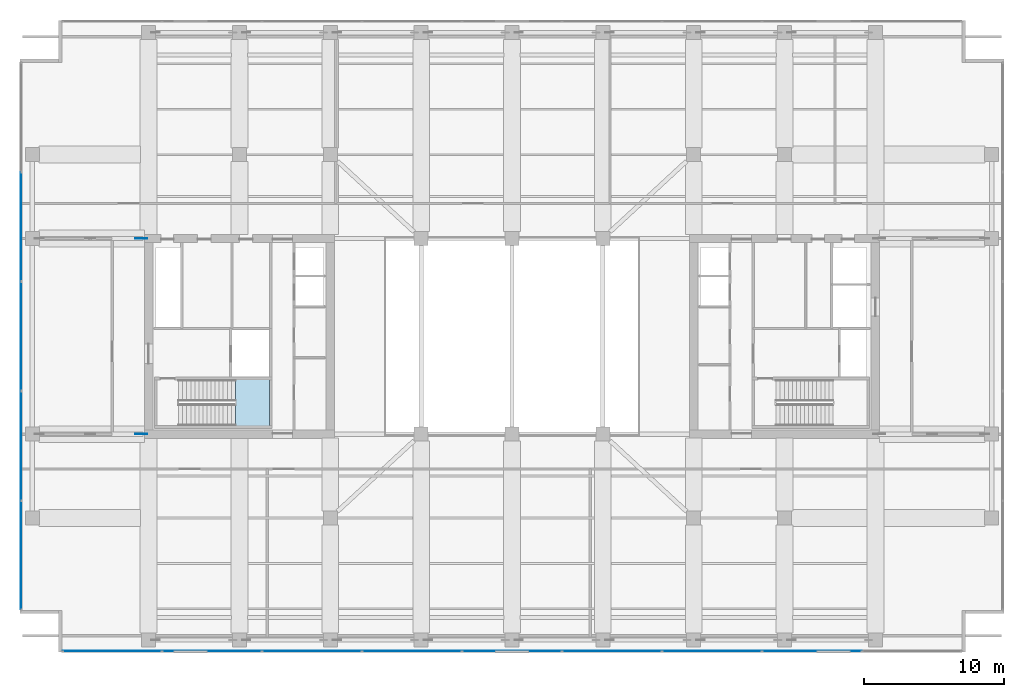
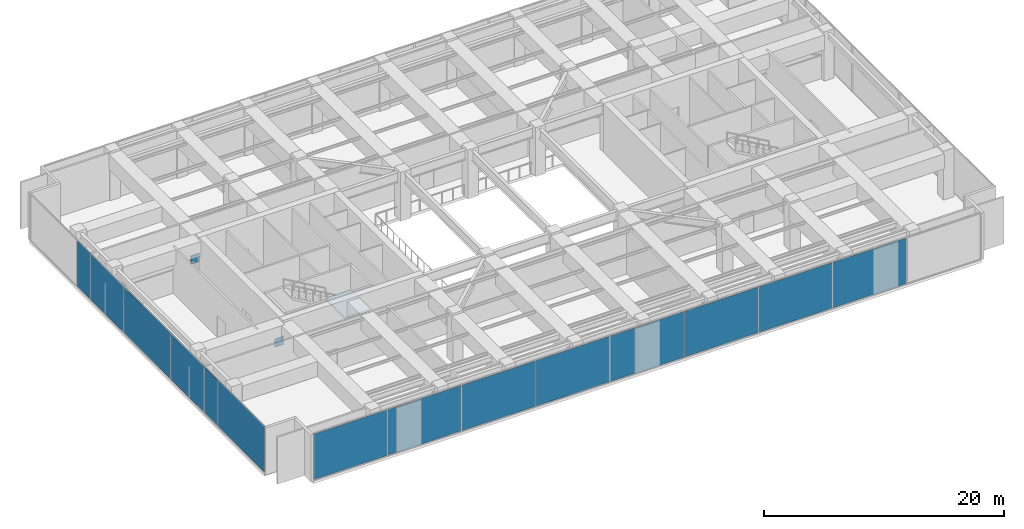
# One storey, part 13 of 28: 14 plates, 1 slab, 3 elements without a shape of their own.
"""IFC4 building model written with IfcOpenShell, lengths in metres."""

from ifc_helpers import new_model, si_unit, direction, frame, origin, origin_2d, place, context, subcontext, project, spatial, polyline, rectangle, outline, extrude, material, layer, layer_set, type_object, element, aggregate, save


model = new_model("IFC4")

# Units and contexts
model_context = context("Model", 3, precision=1e-05, world=origin(), true_north=direction((0.0, 1.0)))
body_context = subcontext(model_context, "Body", "Model", "MODEL_VIEW")
ifc_project = project(units=[si_unit("LENGTHUNIT", "METRE"), si_unit("AREAUNIT", "SQUARE_METRE"), si_unit("VOLUMEUNIT", "CUBIC_METRE"), si_unit("PLANEANGLEUNIT", "RADIAN"), si_unit("MASSUNIT", "GRAM", prefix="KILO")], contexts=[model_context])

# Site, building, storey
site_placement = place(None, origin())
site = spatial("IfcSite", under=ifc_project, at=site_placement, CompositionType="ELEMENT")
building_placement = place(site_placement, origin())
building = spatial("IfcBuilding", under=site, at=building_placement, Name="Putna Gate Headquarters", CompositionType="ELEMENT")
storey_placement = place(building_placement, frame((0.0, 0.0, 197.39990234375)))
storey = spatial("IfcBuildingStorey", under=building, at=storey_placement, Name="L49", CompositionType="ELEMENT", Elevation=197.39990234375)

# Stair, slab
ifc_material_1 = material(Name="Concrete C40/50", Category="concrete")
stair_type = type_object("IfcStairType", Name="STAIR-ST1", PredefinedType="HALF_TURN_STAIR", material=ifc_material_1)
stair_placement = place(storey_placement, origin())
stair = element("IfcStair", 1, at=stair_placement, inside=storey, type_object=stair_type, Name="L49 West Core Exit Stair ST1", PredefinedType="HALF_TURN_STAIR")
ifc_layer_1 = layer(ifc_material_1, 0.199951171875)
ifc_layer_set_1 = layer_set([ifc_layer_1], Name="Concrete C40/50")
slab_type = type_object("IfcSlabType", Name="LANDING-ST1", PredefinedType="LANDING", material=ifc_layer_set_1)
slab_placement = place(storey_placement, frame((0.0, 0.0, 2.300048828125)))
slab = element("IfcSlab", 2, at=slab_placement, type_object=slab_type, Name="ST1 landing 1", PredefinedType="LANDING", context=body_context, shape_type="SweptSolid", body=[
    extrude(outline(polyline([(19.2099609375, 19.60009765625), (21.64990234375, 19.60009765625), (21.64990234375, 22.89990234375), (19.2099609375, 22.89990234375), (19.2099609375, 19.60009765625)])), origin(), (0.0, 0.0, 1.0), 0.199951171875),
])
aggregate(stair, [slab])

# Curtain wall, plates
ifc_material_2 = material(Name="Anodised bronze aluminium curtain wall", Category="aluminium")
ifc_layer_2 = layer(ifc_material_2, 0.159912109375)
ifc_layer_set_2 = layer_set([ifc_layer_2], Name="Anodised bronze aluminium curtain wall")
curtain_wall_type = type_object("IfcCurtainWallType", Name="CW-SYS-CRN", PredefinedType="USERDEFINED", material=ifc_layer_set_2)
curtain_wall_1_placement = place(storey_placement, origin())
curtain_wall_1 = element("IfcCurtainWall", 3, at=curtain_wall_1_placement, inside=storey, type_object=curtain_wall_type, Name="L49 Acoustic Louvre South Enclosure", ObjectType="STICK CURTAIN WALL", PredefinedType="USERDEFINED")
ifc_material_3 = material(Name="Anodised bronze acoustic louvre panel", Category="aluminium")
ifc_layer_3 = layer(ifc_material_3, 0.044921875)
ifc_layer_set_3 = layer_set([ifc_layer_3], Name="Anodised bronze acoustic louvre panel")
plate_type_1 = type_object("IfcPlateType", Name="PAN-CWP-CR", PredefinedType="CURTAIN_PANEL", material=ifc_layer_set_3)
plate_1_placement = place(storey_placement, frame((10.39404296875, 3.47998046875, 0.065185546875), z_axis=(0.0, 0.0, 1.0), x_axis=(1.0, 0.0, 0.0)))
plate_1 = element("IfcPlate", 4, at=plate_1_placement, type_object=plate_type_1, Name="CWS-CR panel 1.1", PredefinedType="CURTAIN_PANEL", context=body_context, shape_type="SweptSolid", body=[
    extrude(rectangle(XDim=7.05810546875, YDim=0.044921875, at=origin_2d()), origin(), (0.0, 0.0, 1.0), 4.64990234375),
])
plate_2_placement = place(storey_placement, frame((17.533447265625, 3.47998046875, 0.065185546875), z_axis=(0.0, 0.0, 1.0), x_axis=(1.0, 0.0, 0.0)))
plate_2 = element("IfcPlate", 5, at=plate_2_placement, type_object=plate_type_1, Name="CWS-CR panel 2.1", PredefinedType="CURTAIN_PANEL", context=body_context, shape_type="SweptSolid", body=[
    extrude(rectangle(XDim=7.090576171875, YDim=0.044921875, at=origin_2d()), origin(), (0.0, 0.0, 1.0), 4.64990234375),
])
plate_3_placement = place(storey_placement, frame((24.68896484375, 3.47998046875, 0.065185546875), z_axis=(0.0, 0.0, 1.0), x_axis=(1.0, 0.0, 0.0)))
plate_3 = element("IfcPlate", 6, at=plate_3_placement, type_object=plate_type_1, Name="CWS-CR panel 3.1", PredefinedType="CURTAIN_PANEL", context=body_context, shape_type="SweptSolid", body=[
    extrude(rectangle(XDim=7.090576171875, YDim=0.044921875, at=origin_2d()), origin(), (0.0, 0.0, 1.0), 4.64990234375),
])
plate_4_placement = place(storey_placement, frame((31.844482421875, 3.47998046875, 0.065185546875), z_axis=(0.0, 0.0, 1.0), x_axis=(1.0, 0.0, 0.0)))
plate_4 = element("IfcPlate", 7, at=plate_4_placement, type_object=plate_type_1, Name="CWS-CR panel 4.1", PredefinedType="CURTAIN_PANEL", context=body_context, shape_type="SweptSolid", body=[
    extrude(rectangle(XDim=7.090576171875, YDim=0.044921875, at=origin_2d()), origin(), (0.0, 0.0, 1.0), 4.64990234375),
])
plate_5_placement = place(storey_placement, frame((39.0, 3.47998046875, 0.065185546875), z_axis=(0.0, 0.0, 1.0), x_axis=(1.0, 0.0, 0.0)))
plate_5 = element("IfcPlate", 8, at=plate_5_placement, type_object=plate_type_1, Name="CWS-CR panel 5.1", PredefinedType="CURTAIN_PANEL", context=body_context, shape_type="SweptSolid", body=[
    extrude(rectangle(XDim=7.090576171875, YDim=0.044921875, at=origin_2d()), origin(), (0.0, 0.0, 1.0), 4.64990234375),
])
plate_6_placement = place(storey_placement, frame((46.155517578125, 3.47998046875, 0.065185546875), z_axis=(0.0, 0.0, 1.0), x_axis=(1.0, 0.0, 0.0)))
plate_6 = element("IfcPlate", 9, at=plate_6_placement, type_object=plate_type_1, Name="CWS-CR panel 6.1", PredefinedType="CURTAIN_PANEL", context=body_context, shape_type="SweptSolid", body=[
    extrude(rectangle(XDim=7.090576171875, YDim=0.044921875, at=origin_2d()), origin(), (0.0, 0.0, 1.0), 4.64990234375),
])
plate_7_placement = place(storey_placement, frame((53.31103515625, 3.47998046875, 0.065185546875), z_axis=(0.0, 0.0, 1.0), x_axis=(1.0, 0.0, 0.0)))
plate_7 = element("IfcPlate", 10, at=plate_7_placement, type_object=plate_type_1, Name="CWS-CR panel 7.1", PredefinedType="CURTAIN_PANEL", context=body_context, shape_type="SweptSolid", body=[
    extrude(rectangle(XDim=7.090576171875, YDim=0.044921875, at=origin_2d()), origin(), (0.0, 0.0, 1.0), 4.64990234375),
])
plate_8_placement = place(storey_placement, frame((60.466552734375, 3.47998046875, 0.065185546875), z_axis=(0.0, 0.0, 1.0), x_axis=(1.0, 0.0, 0.0)))
plate_8 = element("IfcPlate", 11, at=plate_8_placement, type_object=plate_type_1, Name="CWS-CR panel 8.1", PredefinedType="CURTAIN_PANEL", context=body_context, shape_type="SweptSolid", body=[
    extrude(rectangle(XDim=7.090576171875, YDim=0.044921875, at=origin_2d()), origin(), (0.0, 0.0, 1.0), 4.64990234375),
])
aggregate(curtain_wall_1, [plate_1, plate_2, plate_3, plate_4, plate_5, plate_6, plate_7, plate_8])

curtain_wall_2_placement = place(storey_placement, origin())
curtain_wall_2 = element("IfcCurtainWall", 12, at=curtain_wall_2_placement, inside=storey, type_object=curtain_wall_type, Name="L49 Acoustic Louvre West Enclosure", ObjectType="STICK CURTAIN WALL", PredefinedType="USERDEFINED")
plate_9_placement = place(storey_placement, frame((3.8798828125, 10.336181640625, 0.065185546875), z_axis=(0.0, 0.0, 1.0), x_axis=(0.0, 1.0, 0.0)))
plate_9 = element("IfcPlate", 13, at=plate_9_placement, type_object=plate_type_1, Name="CWS-CR panel 1.1", PredefinedType="CURTAIN_PANEL", context=body_context, shape_type="SweptSolid", body=[
    extrude(rectangle(XDim=7.742431640625, YDim=0.044921875, at=origin_2d()), origin(), (0.0, 0.0, 1.0), 4.64990234375),
])
plate_10_placement = place(storey_placement, frame((3.8798828125, 18.159912109375, 0.065185546875), z_axis=(0.0, 0.0, 1.0), x_axis=(0.0, 1.0, 0.0)))
plate_10 = element("IfcPlate", 14, at=plate_10_placement, type_object=plate_type_1, Name="CWS-CR panel 2.1", PredefinedType="CURTAIN_PANEL", context=body_context, shape_type="SweptSolid", body=[
    extrude(rectangle(XDim=7.77490234375, YDim=0.044921875, at=origin_2d()), origin(), (0.0, 0.0, 1.0), 4.64990234375),
])
plate_11_placement = place(storey_placement, frame((3.8798828125, 26.0, 0.065185546875), z_axis=(0.0, 0.0, 1.0), x_axis=(0.0, 1.0, 0.0)))
plate_11 = element("IfcPlate", 15, at=plate_11_placement, type_object=plate_type_1, Name="CWS-CR panel 3.1", PredefinedType="CURTAIN_PANEL", context=body_context, shape_type="SweptSolid", body=[
    extrude(rectangle(XDim=7.77490234375, YDim=0.044921875, at=origin_2d()), origin(), (0.0, 0.0, 1.0), 4.64990234375),
])
plate_12_placement = place(storey_placement, frame((3.8798828125, 33.840087890625, 0.065185546875), z_axis=(0.0, 0.0, 1.0), x_axis=(0.0, 1.0, 0.0)))
plate_12 = element("IfcPlate", 16, at=plate_12_placement, type_object=plate_type_1, Name="CWS-CR panel 4.1", PredefinedType="CURTAIN_PANEL", context=body_context, shape_type="SweptSolid", body=[
    extrude(rectangle(XDim=7.77490234375, YDim=0.044921875, at=origin_2d()), origin(), (0.0, 0.0, 1.0), 4.64990234375),
])
aggregate(curtain_wall_2, [plate_9, plate_10, plate_11, plate_12])

# Plates
ifc_material_4 = material(Name="Steel S460M", Category="steel")
ifc_layer_4 = layer(ifc_material_4, 0.0400390625)
ifc_layer_set_4 = layer_set([ifc_layer_4], Name="Steel S460M")
plate_type_2 = type_object("IfcPlateType", Name="PLT-NODE-ON1", PredefinedType="SHEET", material=ifc_layer_set_4)
for number, where, z_axis, x_axis, name in (
    (17, (12.47998046875, 19.0, 2.324951171875), (0.0, 0.0, 1.0), (1.0, 0.0, 0.0), "L49 Outrigger Node Plate ON1 WS"),
    (18, (12.47998046875, 33.0, 2.324951171875), (0.0, 0.0, 1.0), (1.0, 0.0, 0.0), "L49 Outrigger Node Plate ON1 WN"),
):
    element("IfcPlate", number, at=place(storey_placement, frame(where, z_axis=z_axis, x_axis=x_axis)), inside=storey, type_object=plate_type_2, Name=name, PredefinedType="SHEET", context=body_context, shape_type="SweptSolid", body=[
        extrude(rectangle(XDim=0.85009765625, YDim=0.0400390625, at=origin_2d()), origin(), (0.0, 0.0, 1.0), 0.85009765625),
    ])

save(model, "model.ifc")
